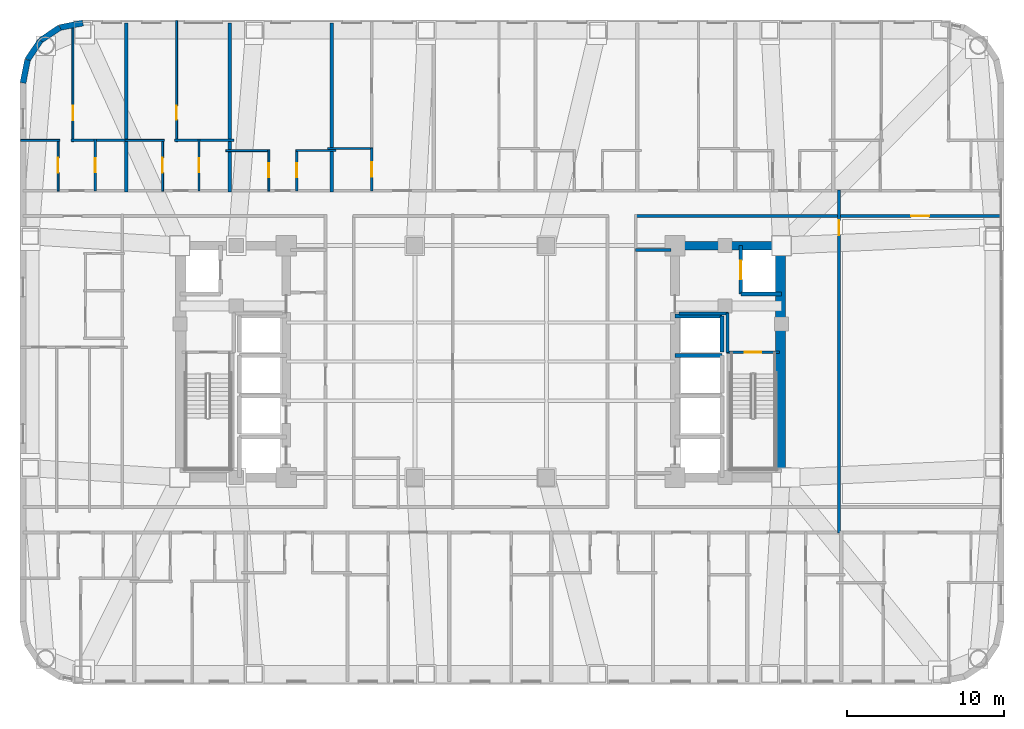
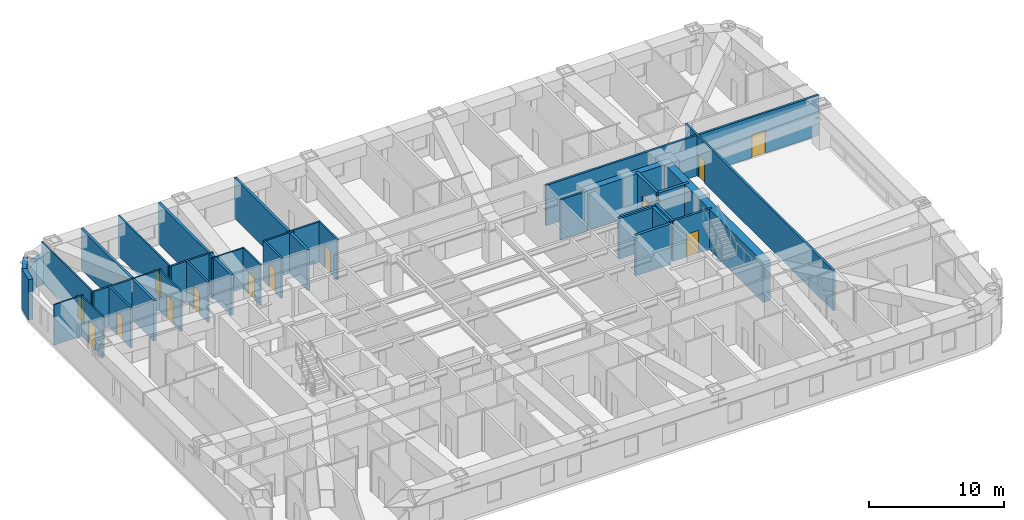
# One storey, part 12 of 16: 36 walls, 13 doors, 13 openings.
"""IFC4 building model written with IfcOpenShell, lengths in metres."""

from ifc_helpers import new_model, si_unit, direction, frame, frame_2d, origin, place, context, subcontext, project, spatial, rectangle, extrude, material, layer, layer_set, type_object, element, fill, save


model = new_model("IFC4")

# Units and contexts
model_context = context("Model", 3, precision=1e-05, world=origin(), true_north=direction((0.0, 1.0)))
body_context = subcontext(model_context, "Body", "Model", "MODEL_VIEW")
ifc_project = project(units=[si_unit("LENGTHUNIT", "METRE"), si_unit("AREAUNIT", "SQUARE_METRE"), si_unit("VOLUMEUNIT", "CUBIC_METRE"), si_unit("PLANEANGLEUNIT", "RADIAN"), si_unit("MASSUNIT", "GRAM", prefix="KILO")], contexts=[model_context])

# Site, building, storey
site_placement = place(None, origin())
site = spatial("IfcSite", under=ifc_project, at=site_placement, CompositionType="ELEMENT")
building_placement = place(site_placement, origin())
building = spatial("IfcBuilding", under=site, at=building_placement, Name="Voryun Gate Residences", CompositionType="ELEMENT")
storey_placement = place(building_placement, frame((0.0, 0.0, 89.699951171875)))
storey = spatial("IfcBuildingStorey", under=building, at=storey_placement, Name="L21", CompositionType="ELEMENT", Elevation=89.699951171875)

# Walls
ifc_material_1 = material(Name="Concrete C60/75", Category="concrete")
ifc_layer_1 = layer(ifc_material_1, 0.550048828125, Name="CW_CORE_550")
ifc_layer_set_1 = layer_set([ifc_layer_1], Name="Concrete C60/75")
wall_type_1 = type_object("IfcWallType", Name="CW_CORE_550", PredefinedType="SHEAR", material=ifc_layer_set_1)
wall_1_placement = place(storey_placement, frame((12.125, 7.39990234375, 0.0), z_axis=(0.0, 0.0, 1.0), x_axis=(1.0, 0.0, 0.0)))
element("IfcWall", 1, at=wall_1_placement, inside=storey, type_object=wall_type_1, Name="L21 Core shear wall CW-L21-EN", PredefinedType="SHEAR", context=body_context, shape_type="SweptSolid", body=[
    extrude(rectangle(XDim=7.35009765625, YDim=0.550048828125, at=frame_2d((3.675048828125, 0.0))), origin(), (0.0, 0.0, 1.0), 3.650146484375),
])
ifc_material_2 = material(Name="Concrete C60/75", Category="concrete")
ifc_layer_2 = layer(ifc_material_2, 0.64990234375, Name="CW_CORE_650")
ifc_layer_set_2 = layer_set([ifc_layer_2], Name="Concrete C60/75")
wall_type_2 = type_object("IfcWallType", Name="CW_CORE_650", PredefinedType="SHEAR", material=ifc_layer_set_2)
wall_2_placement = place(storey_placement, frame((19.14501953125, -7.39990234375, 0.0), z_axis=(0.0, 0.0, 1.0), x_axis=(0.0, 1.0, 0.0)))
element("IfcWall", 2, at=wall_2_placement, inside=storey, type_object=wall_type_2, Name="L21 Core shear wall CW-L21-EE", PredefinedType="SHEAR", context=body_context, shape_type="SweptSolid", body=[
    extrude(rectangle(XDim=14.7998046875, YDim=0.64990234375, at=frame_2d((7.39990234375, 0.0))), origin(), (0.0, 0.0, 1.0), 3.650146484375),
])

# Wall, opening, door
ifc_material_3 = material(Name="Gypsum acoustic fireboard")
ifc_layer_3 = layer(ifc_material_3, 0.179931640625, Name="W_CORR_RATED_180")
ifc_layer_set_3 = layer_set([ifc_layer_3], Name="Gypsum acoustic fireboard")
wall_type_3 = type_object("IfcWallType", Name="W_CORR_RATED_180", PredefinedType="PARTITIONING", material=ifc_layer_set_3)
wall_3_placement = place(storey_placement, frame((15.699951171875, 0.60009765625, 0.0), z_axis=(0.0, 0.0, 1.0), x_axis=(1.0, 0.0, 0.0)))
wall_3 = element("IfcWall", 3, at=wall_3_placement, inside=storey, type_object=wall_type_3, Name="Partition wall WP-L21-STV-E", PredefinedType="PARTITIONING", context=body_context, shape_type="SweptSolid", body=[
    extrude(rectangle(XDim=3.360107421875, YDim=0.179931640625, at=frame_2d((1.68017578125, 0.0))), origin(), (0.0, 0.0, 1.0), 3.650146484375),
])
opening_1_placement = place(wall_3_placement, frame((1.155029296875, 0.0, 0.0)))
opening_1 = element("IfcOpeningElement", 4, at=opening_1_placement, cuts=wall_3, Name="Opening D-FD60-1", PredefinedType="OPENING", context=body_context, shape_type="SweptSolid", body=[
    extrude(rectangle(XDim=1.050048828125, YDim=2.050048828125, at=frame_2d((0.52490234375, 1.02490234375))), frame((0.0, 0.099853515625, 0.0), z_axis=(0.0, -1.0, 0.0), x_axis=(1.0, 0.0, 0.0)), (0.0, 0.0, 1.0), 0.199951171875),
])
ifc_material_4 = material(Name="Painted steel fire door", Category="steel")
door_type_1 = type_object("IfcDoorType", Name="DR_FD60_STAIR_1050", OperationType="NOTDEFINED", PredefinedType="DOOR", material=ifc_material_4)
door_1_placement = place(opening_1_placement, origin())
door_1 = element("IfcDoor", 5, at=door_1_placement, inside=storey, type_object=door_type_1, Name="Door DR-L21-ST-E", OperationType="SINGLE_SWING_RIGHT", OverallHeight=2.050048828125, OverallWidth=1.050048828125, PredefinedType="DOOR", context=body_context, shape_type="SweptSolid", body=[
    extrude(rectangle(XDim=1.050048828125, YDim=2.050048828125, at=frame_2d((0.52490234375, 1.02490234375))), frame((0.0, 0.02490234375, 0.0), z_axis=(0.0, -1.0, 0.0), x_axis=(1.0, 0.0, 0.0)), (0.0, 0.0, 1.0), 0.050048828125),
])
fill(opening_1, door_1)

# Wall
wall_4_placement = place(storey_placement, frame((9.8798828125, 7.1201171875, 0.0), z_axis=(0.0, 0.0, 1.0), x_axis=(1.0, 0.0, 0.0)))
element("IfcWall", 6, at=wall_4_placement, inside=storey, type_object=wall_type_3, Name="Partition wall WP-L21-PLBN-E", PredefinedType="PARTITIONING", context=body_context, shape_type="SweptSolid", body=[
    extrude(rectangle(XDim=2.27001953125, YDim=0.179931640625, at=frame_2d((1.135009765625, 0.0))), origin(), (0.0, 0.0, 1.0), 3.650146484375),
])

# Wall, opening, door
wall_5_placement = place(storey_placement, frame((9.8798828125, 9.2900390625, 0.0), z_axis=(0.0, 0.0, 1.0), x_axis=(1.0, 0.0, 0.0)))
wall_5 = element("IfcWall", 7, at=wall_5_placement, inside=storey, type_object=wall_type_3, Name="Partition wall WP-L21-CWING-EN", PredefinedType="PARTITIONING", context=body_context, shape_type="SweptSolid", body=[
    extrude(rectangle(XDim=23.330078125, YDim=0.179931640625, at=frame_2d((11.6650390625, 0.0))), origin(), (0.0, 0.0, 1.0), 3.650146484375),
])
opening_2_placement = place(wall_5_placement, frame((17.589599609375, 0.0, 0.0)))
opening_2 = element("IfcOpeningElement", 8, at=opening_2_placement, cuts=wall_5, Name="Opening D-UNIT-1", PredefinedType="OPENING", context=body_context, shape_type="SweptSolid", body=[
    extrude(rectangle(XDim=1.14990234375, YDim=2.050048828125, at=frame_2d((0.574951171875, 1.02490234375))), frame((0.0, 0.099853515625, 0.0), z_axis=(0.0, -1.0, 0.0), x_axis=(1.0, 0.0, 0.0)), (0.0, 0.0, 1.0), 0.199951171875),
])
ifc_material_5 = material(Name="Armoured timber-clad fire door", Category="wood")
door_type_2 = type_object("IfcDoorType", Name="DR_UNIT_ENTRY_1150", OperationType="NOTDEFINED", PredefinedType="DOOR", material=ifc_material_5)
door_2_placement = place(opening_2_placement, origin())
door_2 = element("IfcDoor", 9, at=door_2_placement, inside=storey, type_object=door_type_2, Name="Door DR-L21-EE1N", OperationType="SINGLE_SWING_LEFT", OverallHeight=2.050048828125, OverallWidth=1.14990234375, PredefinedType="DOOR", context=body_context, shape_type="SweptSolid", body=[
    extrude(rectangle(XDim=1.14990234375, YDim=2.050048828125, at=frame_2d((0.574951171875, 1.02490234375))), frame((0.0, 0.02490234375, 0.0), z_axis=(0.0, -1.0, 0.0), x_axis=(1.0, 0.0, 0.0)), (0.0, 0.0, 1.0), 0.050048828125),
])
fill(opening_2, door_2)

wall_6_placement = place(storey_placement, frame((22.8701171875, -10.949951171875, 0.0), z_axis=(0.0, 0.0, 1.0), x_axis=(0.0, 1.0, 0.0)))
wall_6 = element("IfcWall", 10, at=wall_6_placement, inside=storey, type_object=wall_type_3, Name="Partition wall WP-L21-ESG", PredefinedType="PARTITIONING", context=body_context, shape_type="SweptSolid", body=[
    extrude(rectangle(XDim=21.89990234375, YDim=0.179931640625, at=frame_2d((10.949951171875, 0.0))), origin(), (0.0, 0.0, 1.0), 3.650146484375),
])
opening_3_placement = place(wall_6_placement, frame((19.014892578125, 0.0, 0.0)))
opening_3 = element("IfcOpeningElement", 11, at=opening_3_placement, cuts=wall_6, Name="Opening D-INT-1", PredefinedType="OPENING", context=body_context, shape_type="SweptSolid", body=[
    extrude(rectangle(XDim=0.949951171875, YDim=2.050048828125, at=frame_2d((0.47509765625, 1.02490234375))), frame((0.0, 0.099853515625, 0.0), z_axis=(0.0, -1.0, 0.0), x_axis=(1.0, 0.0, 0.0)), (0.0, 0.0, 1.0), 0.199951171875),
])
ifc_material_6 = material(Name="Architectural oak veneer")
door_type_3 = type_object("IfcDoorType", Name="DR_INT_ROOM_950", OperationType="NOTDEFINED", PredefinedType="DOOR", material=ifc_material_6)
door_3_placement = place(opening_3_placement, origin())
door_3 = element("IfcDoor", 12, at=door_3_placement, inside=storey, type_object=door_type_3, Name="Door DR-L21-ESG", OperationType="SINGLE_SWING_LEFT", OverallHeight=2.050048828125, OverallWidth=0.949951171875, PredefinedType="DOOR", context=body_context, shape_type="SweptSolid", body=[
    extrude(rectangle(XDim=0.949951171875, YDim=2.050048828125, at=frame_2d((0.47509765625, 1.02490234375))), frame((0.0, 0.02490234375, 0.0), z_axis=(0.0, -1.0, 0.0), x_axis=(1.0, 0.0, 0.0)), (0.0, 0.0, 1.0), 0.050048828125),
])
fill(opening_3, door_3)

# Walls
ifc_material_7 = material(Name="Granite masonry", Category="masonry")
ifc_layer_4 = layer(ifc_material_7, 0.3798828125, Name="W_EXT_GRANITE_380")
ifc_layer_set_4 = layer_set([ifc_layer_4], Name="Granite masonry")
wall_type_4 = type_object("IfcWallType", Name="W_EXT_GRANITE_380", PredefinedType="ELEMENTEDWALL", material=ifc_layer_set_4)
wall_7_placement = place(storey_placement, frame((-29.2099609375, 17.78125, 0.0), z_axis=(0.0, 0.0, 1.0), x_axis=(0.195086038585, 0.980786132421, 0.0)))
element("IfcWall", 13, at=wall_7_placement, inside=storey, type_object=wall_type_4, Name="Exterior wall WEXT-L21-07", PredefinedType="ELEMENTEDWALL", context=body_context, shape_type="SweptSolid", body=[
    extrude(rectangle(XDim=1.504150390625, YDim=0.3798828125, at=frame_2d((0.751953125, 0.0))), origin(), (0.0, 0.0, 1.0), 3.650146484375),
])
wall_8_placement = place(storey_placement, frame((-28.91650390625, 19.256591796875, 0.0), z_axis=(0.0, 0.0, 1.0), x_axis=(0.555610286119, 0.831442848281, 0.0)))
element("IfcWall", 14, at=wall_8_placement, inside=storey, type_object=wall_type_4, Name="Exterior wall WEXT-L21-08", PredefinedType="ELEMENTEDWALL", context=body_context, shape_type="SweptSolid", body=[
    extrude(rectangle(XDim=1.485107421875, YDim=0.3798828125, at=frame_2d((0.74267578125, 0.0))), origin(), (0.0, 0.0, 1.0), 3.650146484375),
])
wall_9_placement = place(storey_placement, frame((-28.09130859375, 20.491455078125, 0.0), z_axis=(0.0, 0.0, 1.0), x_axis=(0.831468045563, 0.555572577804, 0.0)))
element("IfcWall", 15, at=wall_9_placement, inside=storey, type_object=wall_type_4, Name="Exterior wall WEXT-L21-09", PredefinedType="ELEMENTEDWALL", context=body_context, shape_type="SweptSolid", body=[
    extrude(rectangle(XDim=1.48486328125, YDim=0.3798828125, at=frame_2d((0.742431640625, 0.0))), origin(), (0.0, 0.0, 1.0), 2.5400390625),
])
wall_10_placement = place(storey_placement, frame((-26.856689453125, 21.31640625, 0.0), z_axis=(0.0, 0.0, 1.0), x_axis=(0.980755066645, 0.195242155415, 0.0)))
element("IfcWall", 16, at=wall_10_placement, inside=storey, type_object=wall_type_4, Name="Exterior wall WEXT-L21-10", PredefinedType="ELEMENTEDWALL", context=body_context, shape_type="SweptSolid", body=[
    extrude(rectangle(XDim=1.50439453125, YDim=0.3798828125, at=frame_2d((0.752197265625, 0.0))), origin(), (0.0, 0.0, 1.0), 2.5400390625),
])
ifc_material_8 = material(Name="Concrete C40/50", Category="concrete")
ifc_layer_5 = layer(ifc_material_8, 0.199951171875, Name="W_FF_LOBBY_200")
ifc_layer_set_5 = layer_set([ifc_layer_5], Name="Concrete C40/50")
wall_type_5 = type_object("IfcWallType", Name="W_FF_LOBBY_200", PredefinedType="PARTITIONING", material=ifc_layer_set_5)
wall_11_placement = place(storey_placement, frame((15.760009765625, 0.580078125, 0.0), z_axis=(0.0, 0.0, 1.0), x_axis=(0.0, 1.0, 0.0)))
element("IfcWall", 17, at=wall_11_placement, inside=storey, type_object=wall_type_5, Name="Partition wall WP-L21-FFP0-E", PredefinedType="PARTITIONING", context=body_context, shape_type="SweptSolid", body=[
    extrude(rectangle(XDim=2.52001953125, YDim=0.199951171875, at=frame_2d((1.260009765625, 0.0))), origin(), (0.0, 0.0, 1.0), 3.650146484375),
])
wall_12_placement = place(storey_placement, frame((12.659912109375, 3.06005859375, 0.0), z_axis=(0.0, 0.0, 1.0), x_axis=(1.0, 0.0, 0.0)))
element("IfcWall", 18, at=wall_12_placement, inside=storey, type_object=wall_type_5, Name="Partition wall WP-L21-FFPS-E", PredefinedType="PARTITIONING", context=body_context, shape_type="SweptSolid", body=[
    extrude(rectangle(XDim=3.16015625, YDim=0.199951171875, at=frame_2d((1.580078125, 0.0))), origin(), (0.0, 0.0, 1.0), 3.650146484375),
])
ifc_material_9 = material(Name="Concrete C40/50", Category="concrete")
ifc_layer_6 = layer(ifc_material_9, 0.219970703125, Name="W_PARTY_ACOUSTIC_220")
ifc_layer_set_6 = layer_set([ifc_layer_6], Name="Concrete C40/50")
wall_type_6 = type_object("IfcWallType", Name="W_PARTY_ACOUSTIC_220", PredefinedType="PARTITIONING", material=ifc_layer_set_6)
for number, where, z_axis, x_axis, name in (
    (19, (-22.60888671875, 10.820068359375, 0.0), (0.0, 0.0, 1.0), (0.0, 1.0, 0.0), "Partition wall WP-L21-NPTY-1"),
    (20, (-16.0, 10.820068359375, 0.0), (0.0, 0.0, 1.0), (0.0, 1.0, 0.0), "Partition wall WP-L21-NPTY-2"),
    (21, (-9.5, 10.820068359375, 0.0), (0.0, 0.0, 1.0), (0.0, 1.0, 0.0), "Partition wall WP-L21-NPTY-3"),
):
    element("IfcWall", number, at=place(storey_placement, frame(where, z_axis=z_axis, x_axis=x_axis)), inside=storey, type_object=wall_type_6, Name=name, PredefinedType="PARTITIONING", context=body_context, shape_type="SweptSolid", body=[
        extrude(rectangle(XDim=10.7900390625, YDim=0.219970703125, at=frame_2d((5.39501953125, 0.0))), origin(), (0.0, 0.0, 1.0), 3.650146484375),
    ])
ifc_material_10 = material(Name="Concrete C50/60", Category="concrete")
ifc_layer_7 = layer(ifc_material_10, 0.25, Name="W_SHAFT_RC250")
ifc_layer_set_7 = layer_set([ifc_layer_7], Name="Concrete C50/60")
wall_type_7 = type_object("IfcWallType", Name="W_SHAFT_RC250", PredefinedType="SOLIDWALL", material=ifc_layer_set_7)
wall_13_placement = place(storey_placement, frame((16.60009765625, 4.300048828125, 0.0), z_axis=(0.0, 0.0, 1.0), x_axis=(1.0, 0.0, 0.0)))
element("IfcWall", 22, at=wall_13_placement, inside=storey, type_object=wall_type_7, Name="Lift shaft wall WSH-L21-EL-FF-E1-S", PredefinedType="SOLIDWALL", context=body_context, shape_type="SweptSolid", body=[
    extrude(rectangle(XDim=2.599853515625, YDim=0.25, at=frame_2d((1.2998046875, 0.0))), origin(), (0.0, 0.0, 1.0), 3.650146484375),
])

# Wall, opening, door
wall_14_placement = place(storey_placement, frame((16.60009765625, 7.39990234375, 0.0), z_axis=(0.0, 0.0, 1.0), x_axis=(0.0, -1.0, 0.0)))
wall_14 = element("IfcWall", 23, at=wall_14_placement, inside=storey, type_object=wall_type_7, Name="Lift shaft wall WSH-L21-EL-FF-E1-W", PredefinedType="SOLIDWALL", context=body_context, shape_type="SweptSolid", body=[
    extrude(rectangle(XDim=3.099853515625, YDim=0.25, at=frame_2d((1.5498046875, 0.0))), origin(), (0.0, 0.0, 1.0), 3.650146484375),
])
opening_4_placement = place(wall_14_placement, frame((0.949951171875, 0.0, 0.0)))
opening_4 = element("IfcOpeningElement", 24, at=opening_4_placement, cuts=wall_14, Name="Opening LD1", PredefinedType="OPENING", context=body_context, shape_type="SweptSolid", body=[
    extrude(rectangle(XDim=1.199951171875, YDim=2.050048828125, at=frame_2d((0.60009765625, 1.02490234375))), frame((0.0, 0.135009765625, 0.0), z_axis=(0.0, -1.0, 0.0), x_axis=(1.0, 0.0, 0.0)), (0.0, 0.0, 1.0), 0.27001953125),
])
ifc_material_11 = material(Name="Anodised aluminium", Category="aluminium")
door_type_4 = type_object("IfcDoorType", Name="DR_LD_FF_1200", OperationType="NOTDEFINED", PredefinedType="DOOR", material=ifc_material_11)
door_4_placement = place(opening_4_placement, origin())
door_4 = element("IfcDoor", 25, at=door_4_placement, inside=storey, type_object=door_type_4, Name="Lift EL-FF-E1 sliding landing door L21", OperationType="SLIDING_TO_LEFT", OverallHeight=2.050048828125, OverallWidth=1.199951171875, PredefinedType="DOOR", context=body_context, shape_type="SweptSolid", body=[
    extrude(rectangle(XDim=1.199951171875, YDim=2.050048828125, at=frame_2d((0.60009765625, 1.02490234375))), frame((0.0, 0.02490234375, 0.0), z_axis=(0.0, -1.0, 0.0), x_axis=(1.0, 0.0, 0.0)), (0.0, 0.0, 1.0), 0.050048828125),
])
fill(opening_4, door_4)

# Walls
wall_15_placement = place(storey_placement, frame((15.39990234375, 0.39990234375, 0.0), z_axis=(0.0, 0.0, 1.0), x_axis=(-1.0, 0.0, 0.0)))
element("IfcWall", 26, at=wall_15_placement, inside=storey, type_object=wall_type_7, Name="Lift shaft wall WSH-L21-EL-P6-N", PredefinedType="SOLIDWALL", context=body_context, shape_type="SweptSolid", body=[
    extrude(rectangle(XDim=3.0, YDim=0.25, at=frame_2d((1.5, 0.0))), origin(), (0.0, 0.0, 1.0), 3.650146484375),
])
wall_16_placement = place(storey_placement, frame((15.39990234375, 0.60009765625, 0.0), z_axis=(0.0, 0.0, 1.0), x_axis=(0.0, 1.0, 0.0)))
element("IfcWall", 27, at=wall_16_placement, inside=storey, type_object=wall_type_7, Name="Lift shaft wall WSH-L21-EL-P8-E", PredefinedType="SOLIDWALL", context=body_context, shape_type="SweptSolid", body=[
    extrude(rectangle(XDim=2.2998046875, YDim=0.25, at=frame_2d((1.14990234375, 0.0))), origin(), (0.0, 0.0, 1.0), 3.650146484375),
])
wall_17_placement = place(storey_placement, frame((15.39990234375, 2.89990234375, 0.0), z_axis=(0.0, 0.0, 1.0), x_axis=(-1.0, 0.0, 0.0)))
element("IfcWall", 28, at=wall_17_placement, inside=storey, type_object=wall_type_7, Name="Lift shaft wall WSH-L21-EL-P8-N", PredefinedType="SOLIDWALL", context=body_context, shape_type="SweptSolid", body=[
    extrude(rectangle(XDim=3.0, YDim=0.25, at=frame_2d((1.5, 0.0))), origin(), (0.0, 0.0, 1.0), 3.650146484375),
])

# Wall, opening, door
ifc_material_12 = material(Name="Gypsum acoustic partition")
ifc_layer_8 = layer(ifc_material_12, 0.125, Name="W_UNIT_PART_125")
ifc_layer_set_8 = layer_set([ifc_layer_8], Name="Gypsum acoustic partition")
wall_type_8 = type_object("IfcWallType", Name="W_UNIT_PART_125", PredefinedType="PARTITIONING", material=ifc_layer_set_8)
wall_18_placement = place(storey_placement, frame((-26.01904296875, 14.0400390625, 0.0), z_axis=(0.0, 0.0, 1.0), x_axis=(0.0, 1.0, 0.0)))
wall_18 = element("IfcWall", 29, at=wall_18_placement, inside=storey, type_object=wall_type_8, Name="Partition wall WP-L21-N1-OVR", PredefinedType="PARTITIONING", context=body_context, shape_type="SweptSolid", body=[
    extrude(rectangle(XDim=7.595947265625, YDim=0.125, at=frame_2d((3.7978515625, 0.0))), origin(), (0.0, 0.0, 1.0), 3.650146484375),
])
opening_5_placement = place(wall_18_placement, frame((1.373046875, 0.0, 0.0)))
opening_5 = element("IfcOpeningElement", 30, at=opening_5_placement, cuts=wall_18, Name="Opening D-INT-2", PredefinedType="OPENING", context=body_context, shape_type="SweptSolid", body=[
    extrude(rectangle(XDim=0.89990234375, YDim=2.050048828125, at=frame_2d((0.449951171875, 1.02490234375))), frame((0.0, 0.072509765625, 0.0), z_axis=(0.0, -1.0, 0.0), x_axis=(1.0, 0.0, 0.0)), (0.0, 0.0, 1.0), 0.14501953125),
])
ifc_material_13 = material(Name="Architectural oak veneer")
door_type_5 = type_object("IfcDoorType", Name="DR_INT_BATH_900", OperationType="NOTDEFINED", PredefinedType="DOOR", material=ifc_material_13)
door_5_placement = place(opening_5_placement, origin())
door_5 = element("IfcDoor", 31, at=door_5_placement, inside=storey, type_object=door_type_5, Name="Door DR-L21-N1-DMB", OperationType="SINGLE_SWING_RIGHT", OverallHeight=2.050048828125, OverallWidth=0.89990234375, PredefinedType="DOOR", context=body_context, shape_type="SweptSolid", body=[
    extrude(rectangle(XDim=0.89990234375, YDim=2.050048828125, at=frame_2d((0.449951171875, 1.02490234375))), frame((0.0, 0.02490234375, 0.0), z_axis=(0.0, -1.0, 0.0), x_axis=(1.0, 0.0, 0.0)), (0.0, 0.0, 1.0), 0.050048828125),
])
fill(opening_5, door_5)

wall_19_placement = place(storey_placement, frame((-26.968017578125, 10.8798828125, 0.0), z_axis=(0.0, 0.0, 1.0), x_axis=(0.0, 1.0, 0.0)))
wall_19 = element("IfcWall", 32, at=wall_19_placement, inside=storey, type_object=wall_type_8, Name="Partition wall WP-L21-N1-IVK", PredefinedType="PARTITIONING", context=body_context, shape_type="SweptSolid", body=[
    extrude(rectangle(XDim=3.320068359375, YDim=0.125, at=frame_2d((1.66015625, 0.0))), origin(), (0.0, 0.0, 1.0), 3.650146484375),
])
opening_6_placement = place(wall_19_placement, frame((1.18505859375, 0.0, 0.0)))
opening_6 = element("IfcOpeningElement", 33, at=opening_6_placement, cuts=wall_19, Name="Opening D-INT-1", PredefinedType="OPENING", context=body_context, shape_type="SweptSolid", body=[
    extrude(rectangle(XDim=0.949951171875, YDim=2.050048828125, at=frame_2d((0.47509765625, 1.02490234375))), frame((0.0, 0.072509765625, 0.0), z_axis=(0.0, -1.0, 0.0), x_axis=(1.0, 0.0, 0.0)), (0.0, 0.0, 1.0), 0.14501953125),
])
door_6_placement = place(opening_6_placement, origin())
door_6 = element("IfcDoor", 34, at=door_6_placement, inside=storey, type_object=door_type_3, Name="Door DR-L21-N1-DK", OperationType="SINGLE_SWING_LEFT", OverallHeight=2.050048828125, OverallWidth=0.949951171875, PredefinedType="DOOR", context=body_context, shape_type="SweptSolid", body=[
    extrude(rectangle(XDim=0.949951171875, YDim=2.050048828125, at=frame_2d((0.47509765625, 1.02490234375))), frame((0.0, 0.02490234375, 0.0), z_axis=(0.0, -1.0, 0.0), x_axis=(1.0, 0.0, 0.0)), (0.0, 0.0, 1.0), 0.050048828125),
])
fill(opening_6, door_6)

# Wall
wall_20_placement = place(storey_placement, frame((-29.360107421875, 14.1201171875, 0.0), z_axis=(0.0, 0.0, 1.0), x_axis=(1.0, 0.0, 0.0)))
element("IfcWall", 35, at=wall_20_placement, inside=storey, type_object=wall_type_8, Name="Partition wall WP-L21-N1-HZK", PredefinedType="PARTITIONING", context=body_context, shape_type="SweptSolid", body=[
    extrude(rectangle(XDim=2.51220703125, YDim=0.125, at=frame_2d((1.256103515625, 0.0))), origin(), (0.0, 0.0, 1.0), 3.650146484375),
])

# Wall, opening, door
wall_21_placement = place(storey_placement, frame((-19.409912109375, 14.0400390625, 0.0), z_axis=(0.0, 0.0, 1.0), x_axis=(0.0, 1.0, 0.0)))
wall_21 = element("IfcWall", 36, at=wall_21_placement, inside=storey, type_object=wall_type_8, Name="Partition wall WP-L21-N2-OVR", PredefinedType="PARTITIONING", context=body_context, shape_type="SweptSolid", body=[
    extrude(rectangle(XDim=7.719970703125, YDim=0.125, at=frame_2d((3.85986328125, 0.0))), origin(), (0.0, 0.0, 1.0), 3.650146484375),
])
opening_7_placement = place(wall_21_placement, frame((1.40283203125, 0.0, 0.0)))
opening_7 = element("IfcOpeningElement", 37, at=opening_7_placement, cuts=wall_21, Name="Opening D-INT-2", PredefinedType="OPENING", context=body_context, shape_type="SweptSolid", body=[
    extrude(rectangle(XDim=0.89990234375, YDim=2.050048828125, at=frame_2d((0.449951171875, 1.02490234375))), frame((0.0, 0.072509765625, 0.0), z_axis=(0.0, -1.0, 0.0), x_axis=(1.0, 0.0, 0.0)), (0.0, 0.0, 1.0), 0.14501953125),
])
door_7_placement = place(opening_7_placement, origin())
door_7 = element("IfcDoor", 38, at=door_7_placement, inside=storey, type_object=door_type_5, Name="Door DR-L21-N2-DMB", OperationType="SINGLE_SWING_RIGHT", OverallHeight=2.050048828125, OverallWidth=0.89990234375, PredefinedType="DOOR", context=body_context, shape_type="SweptSolid", body=[
    extrude(rectangle(XDim=0.89990234375, YDim=2.050048828125, at=frame_2d((0.449951171875, 1.02490234375))), frame((0.0, 0.02490234375, 0.0), z_axis=(0.0, -1.0, 0.0), x_axis=(1.0, 0.0, 0.0)), (0.0, 0.0, 1.0), 0.050048828125),
])
fill(opening_7, door_7)

wall_22_placement = place(storey_placement, frame((-20.299072265625, 10.8798828125, 0.0), z_axis=(0.0, 0.0, 1.0), x_axis=(0.0, 1.0, 0.0)))
wall_22 = element("IfcWall", 39, at=wall_22_placement, inside=storey, type_object=wall_type_8, Name="Partition wall WP-L21-N2-IVK", PredefinedType="PARTITIONING", context=body_context, shape_type="SweptSolid", body=[
    extrude(rectangle(XDim=3.320068359375, YDim=0.125, at=frame_2d((1.66015625, 0.0))), origin(), (0.0, 0.0, 1.0), 3.650146484375),
])
opening_8_placement = place(wall_22_placement, frame((1.18505859375, 0.0, 0.0)))
opening_8 = element("IfcOpeningElement", 40, at=opening_8_placement, cuts=wall_22, Name="Opening D-INT-1", PredefinedType="OPENING", context=body_context, shape_type="SweptSolid", body=[
    extrude(rectangle(XDim=0.949951171875, YDim=2.050048828125, at=frame_2d((0.47509765625, 1.02490234375))), frame((0.0, 0.072509765625, 0.0), z_axis=(0.0, -1.0, 0.0), x_axis=(1.0, 0.0, 0.0)), (0.0, 0.0, 1.0), 0.14501953125),
])
door_8_placement = place(opening_8_placement, origin())
door_8 = element("IfcDoor", 41, at=door_8_placement, inside=storey, type_object=door_type_3, Name="Door DR-L21-N2-DK", OperationType="SINGLE_SWING_LEFT", OverallHeight=2.050048828125, OverallWidth=0.949951171875, PredefinedType="DOOR", context=body_context, shape_type="SweptSolid", body=[
    extrude(rectangle(XDim=0.949951171875, YDim=2.050048828125, at=frame_2d((0.47509765625, 1.02490234375))), frame((0.0, 0.02490234375, 0.0), z_axis=(0.0, -1.0, 0.0), x_axis=(1.0, 0.0, 0.0)), (0.0, 0.0, 1.0), 0.050048828125),
])
fill(opening_8, door_8)

# Wall
wall_23_placement = place(storey_placement, frame((-22.68408203125, 14.1201171875, 0.0), z_axis=(0.0, 0.0, 1.0), x_axis=(1.0, 0.0, 0.0)))
element("IfcWall", 42, at=wall_23_placement, inside=storey, type_object=wall_type_8, Name="Partition wall WP-L21-N2-HZK", PredefinedType="PARTITIONING", context=body_context, shape_type="SweptSolid", body=[
    extrude(rectangle(XDim=2.505126953125, YDim=0.125, at=frame_2d((1.25244140625, 0.0))), origin(), (0.0, 0.0, 1.0), 3.650146484375),
])

# Wall, opening, door
wall_24_placement = place(storey_placement, frame((-13.51611328125, 10.8798828125, 0.0), z_axis=(0.0, 0.0, 1.0), x_axis=(0.0, 1.0, 0.0)))
wall_24 = element("IfcWall", 43, at=wall_24_placement, inside=storey, type_object=wall_type_8, Name="Partition wall WP-L21-N3-CVK", PredefinedType="PARTITIONING", context=body_context, shape_type="SweptSolid", body=[
    extrude(rectangle(XDim=2.650146484375, YDim=0.125, at=frame_2d((1.3251953125, 0.0))), origin(), (0.0, 0.0, 1.0), 3.650146484375),
])
opening_9_placement = place(wall_24_placement, frame((0.875, 0.0, 0.0)))
opening_9 = element("IfcOpeningElement", 44, at=opening_9_placement, cuts=wall_24, Name="Opening D-INT-2", PredefinedType="OPENING", context=body_context, shape_type="SweptSolid", body=[
    extrude(rectangle(XDim=0.89990234375, YDim=2.050048828125, at=frame_2d((0.449951171875, 1.02490234375))), frame((0.0, 0.072509765625, 0.0), z_axis=(0.0, -1.0, 0.0), x_axis=(1.0, 0.0, 0.0)), (0.0, 0.0, 1.0), 0.14501953125),
])
door_9_placement = place(opening_9_placement, origin())
door_9 = element("IfcDoor", 45, at=door_9_placement, inside=storey, type_object=door_type_5, Name="Door DR-L21-N3-DK", OperationType="SINGLE_SWING_LEFT", OverallHeight=2.050048828125, OverallWidth=0.89990234375, PredefinedType="DOOR", context=body_context, shape_type="SweptSolid", body=[
    extrude(rectangle(XDim=0.89990234375, YDim=2.050048828125, at=frame_2d((0.449951171875, 1.02490234375))), frame((0.0, 0.02490234375, 0.0), z_axis=(0.0, -1.0, 0.0), x_axis=(1.0, 0.0, 0.0)), (0.0, 0.0, 1.0), 0.050048828125),
])
fill(opening_9, door_9)

# Walls
wall_25_placement = place(storey_placement, frame((-16.260009765625, 13.469970703125, 0.0), z_axis=(0.0, 0.0, 1.0), x_axis=(1.0, 0.0, 0.0)))
element("IfcWall", 46, at=wall_25_placement, inside=storey, type_object=wall_type_8, Name="Partition wall WP-L21-N3-CHK", PredefinedType="PARTITIONING", context=body_context, shape_type="SweptSolid", body=[
    extrude(rectangle(XDim=2.803955078125, YDim=0.125, at=frame_2d((1.40185546875, 0.0))), origin(), (0.0, 0.0, 1.0), 3.650146484375),
])
ifc_material_14 = material(Name="Gypsum moisture-resistant partition")
ifc_layer_9 = layer(ifc_material_14, 0.14990234375, Name="W_WET_PLUMB_150")
ifc_layer_set_9 = layer_set([ifc_layer_9], Name="Gypsum moisture-resistant partition")
wall_type_9 = type_object("IfcWallType", Name="W_WET_PLUMB_150", PredefinedType="PLUMBINGWALL", material=ifc_layer_set_9)
wall_26_placement = place(storey_placement, frame((-26.138916015625, 14.1201171875, 0.0), z_axis=(0.0, 0.0, 1.0), x_axis=(1.0, 0.0, 0.0)))
element("IfcWall", 47, at=wall_26_placement, inside=storey, type_object=wall_type_9, Name="Partition wall WP-L21-N1-HZB", PredefinedType="PLUMBINGWALL", context=body_context, shape_type="SweptSolid", body=[
    extrude(rectangle(XDim=3.60498046875, YDim=0.14990234375, at=frame_2d((1.802490234375, 0.0))), origin(), (0.0, 0.0, 1.0), 3.650146484375),
])

# Wall, opening, door
wall_27_placement = place(storey_placement, frame((-24.589111328125, 10.8798828125, 0.0), z_axis=(0.0, 0.0, 1.0), x_axis=(0.0, 1.0, 0.0)))
wall_27 = element("IfcWall", 48, at=wall_27_placement, inside=storey, type_object=wall_type_9, Name="Partition wall WP-L21-N1-IVB", PredefinedType="PLUMBINGWALL", context=body_context, shape_type="SweptSolid", body=[
    extrude(rectangle(XDim=3.320068359375, YDim=0.14990234375, at=frame_2d((1.66015625, 0.0))), origin(), (0.0, 0.0, 1.0), 3.650146484375),
])
opening_10_placement = place(wall_27_placement, frame((1.2099609375, 0.0, 0.0)))
opening_10 = element("IfcOpeningElement", 49, at=opening_10_placement, cuts=wall_27, Name="Opening D-INT-2", PredefinedType="OPENING", context=body_context, shape_type="SweptSolid", body=[
    extrude(rectangle(XDim=0.89990234375, YDim=2.050048828125, at=frame_2d((0.449951171875, 1.02490234375))), frame((0.0, 0.0849609375, 0.0), z_axis=(0.0, -1.0, 0.0), x_axis=(1.0, 0.0, 0.0)), (0.0, 0.0, 1.0), 0.169921875),
])
door_10_placement = place(opening_10_placement, origin())
door_10 = element("IfcDoor", 50, at=door_10_placement, inside=storey, type_object=door_type_5, Name="Door DR-L21-N1-DB", OperationType="SINGLE_SWING_RIGHT", OverallHeight=2.050048828125, OverallWidth=0.89990234375, PredefinedType="DOOR", context=body_context, shape_type="SweptSolid", body=[
    extrude(rectangle(XDim=0.89990234375, YDim=2.050048828125, at=frame_2d((0.449951171875, 1.02490234375))), frame((0.0, 0.02490234375, 0.0), z_axis=(0.0, -1.0, 0.0), x_axis=(1.0, 0.0, 0.0)), (0.0, 0.0, 1.0), 0.050048828125),
])
fill(opening_10, door_10)

# Wall
wall_28_placement = place(storey_placement, frame((-19.530029296875, 14.1201171875, 0.0), z_axis=(0.0, 0.0, 1.0), x_axis=(1.0, 0.0, 0.0)))
element("IfcWall", 51, at=wall_28_placement, inside=storey, type_object=wall_type_9, Name="Partition wall WP-L21-N2-HZB", PredefinedType="PLUMBINGWALL", context=body_context, shape_type="SweptSolid", body=[
    extrude(rectangle(XDim=3.7900390625, YDim=0.14990234375, at=frame_2d((1.89501953125, 0.0))), origin(), (0.0, 0.0, 1.0), 3.650146484375),
])

# Wall, opening, door
wall_29_placement = place(storey_placement, frame((-17.97998046875, 10.8798828125, 0.0), z_axis=(0.0, 0.0, 1.0), x_axis=(0.0, 1.0, 0.0)))
wall_29 = element("IfcWall", 52, at=wall_29_placement, inside=storey, type_object=wall_type_9, Name="Partition wall WP-L21-N2-IVB", PredefinedType="PLUMBINGWALL", context=body_context, shape_type="SweptSolid", body=[
    extrude(rectangle(XDim=3.320068359375, YDim=0.14990234375, at=frame_2d((1.66015625, 0.0))), origin(), (0.0, 0.0, 1.0), 3.650146484375),
])
opening_11_placement = place(wall_29_placement, frame((1.2099609375, 0.0, 0.0)))
opening_11 = element("IfcOpeningElement", 53, at=opening_11_placement, cuts=wall_29, Name="Opening D-INT-2", PredefinedType="OPENING", context=body_context, shape_type="SweptSolid", body=[
    extrude(rectangle(XDim=0.89990234375, YDim=2.050048828125, at=frame_2d((0.449951171875, 1.02490234375))), frame((0.0, 0.0849609375, 0.0), z_axis=(0.0, -1.0, 0.0), x_axis=(1.0, 0.0, 0.0)), (0.0, 0.0, 1.0), 0.169921875),
])
door_11_placement = place(opening_11_placement, origin())
door_11 = element("IfcDoor", 54, at=door_11_placement, inside=storey, type_object=door_type_5, Name="Door DR-L21-N2-DB", OperationType="SINGLE_SWING_RIGHT", OverallHeight=2.050048828125, OverallWidth=0.89990234375, PredefinedType="DOOR", context=body_context, shape_type="SweptSolid", body=[
    extrude(rectangle(XDim=0.89990234375, YDim=2.050048828125, at=frame_2d((0.449951171875, 1.02490234375))), frame((0.0, 0.02490234375, 0.0), z_axis=(0.0, -1.0, 0.0), x_axis=(1.0, 0.0, 0.0)), (0.0, 0.0, 1.0), 0.050048828125),
])
fill(opening_11, door_11)

wall_30_placement = place(storey_placement, frame((-11.72900390625, 10.8798828125, 0.0), z_axis=(0.0, 0.0, 1.0), x_axis=(0.0, 1.0, 0.0)))
wall_30 = element("IfcWall", 55, at=wall_30_placement, inside=storey, type_object=wall_type_9, Name="Partition wall WP-L21-N3-CVB", PredefinedType="PLUMBINGWALL", context=body_context, shape_type="SweptSolid", body=[
    extrude(rectangle(XDim=2.650146484375, YDim=0.14990234375, at=frame_2d((1.3251953125, 0.0))), origin(), (0.0, 0.0, 1.0), 3.650146484375),
])
opening_12_placement = place(wall_30_placement, frame((0.875, 0.0, 0.0)))
opening_12 = element("IfcOpeningElement", 56, at=opening_12_placement, cuts=wall_30, Name="Opening D-INT-2", PredefinedType="OPENING", context=body_context, shape_type="SweptSolid", body=[
    extrude(rectangle(XDim=0.89990234375, YDim=2.050048828125, at=frame_2d((0.449951171875, 1.02490234375))), frame((0.0, 0.0849609375, 0.0), z_axis=(0.0, -1.0, 0.0), x_axis=(1.0, 0.0, 0.0)), (0.0, 0.0, 1.0), 0.169921875),
])
door_12_placement = place(opening_12_placement, origin())
door_12 = element("IfcDoor", 57, at=door_12_placement, inside=storey, type_object=door_type_5, Name="Door DR-L21-N3-DB", OperationType="SINGLE_SWING_RIGHT", OverallHeight=2.050048828125, OverallWidth=0.89990234375, PredefinedType="DOOR", context=body_context, shape_type="SweptSolid", body=[
    extrude(rectangle(XDim=0.89990234375, YDim=2.050048828125, at=frame_2d((0.449951171875, 1.02490234375))), frame((0.0, 0.02490234375, 0.0), z_axis=(0.0, -1.0, 0.0), x_axis=(1.0, 0.0, 0.0)), (0.0, 0.0, 1.0), 0.050048828125),
])
fill(opening_12, door_12)

# Walls
wall_31_placement = place(storey_placement, frame((-11.7890625, 13.469970703125, 0.0), z_axis=(0.0, 0.0, 1.0), x_axis=(1.0, 0.0, 0.0)))
element("IfcWall", 58, at=wall_31_placement, inside=storey, type_object=wall_type_9, Name="Partition wall WP-L21-N3-CHB", PredefinedType="PLUMBINGWALL", context=body_context, shape_type="SweptSolid", body=[
    extrude(rectangle(XDim=2.549072265625, YDim=0.14990234375, at=frame_2d((1.2744140625, 0.0))), origin(), (0.0, 0.0, 1.0), 3.650146484375),
])
wall_32_placement = place(storey_placement, frame((-9.760009765625, 13.60009765625, 0.0), z_axis=(0.0, 0.0, 1.0), x_axis=(1.0, 0.0, 0.0)))
element("IfcWall", 59, at=wall_32_placement, inside=storey, type_object=wall_type_9, Name="Partition wall WP-L21-N4-SKB", PredefinedType="PLUMBINGWALL", context=body_context, shape_type="SweptSolid", body=[
    extrude(rectangle(XDim=2.887939453125, YDim=0.14990234375, at=frame_2d((1.44384765625, 0.0))), origin(), (0.0, 0.0, 1.0), 3.650146484375),
])

# Wall, opening, door
wall_33_placement = place(storey_placement, frame((-6.951904296875, 10.8798828125, 0.0), z_axis=(0.0, 0.0, 1.0), x_axis=(0.0, 1.0, 0.0)))
wall_33 = element("IfcWall", 60, at=wall_33_placement, inside=storey, type_object=wall_type_9, Name="Partition wall WP-L21-N4-SVT1", PredefinedType="PLUMBINGWALL", context=body_context, shape_type="SweptSolid", body=[
    extrude(rectangle(XDim=2.760009765625, YDim=0.14990234375, at=frame_2d((1.3798828125, 0.0))), origin(), (0.0, 0.0, 1.0), 3.650146484375),
])
opening_13_placement = place(wall_33_placement, frame((0.929931640625, 0.0, 0.0)))
opening_13 = element("IfcOpeningElement", 61, at=opening_13_placement, cuts=wall_33, Name="Opening D-INT-2", PredefinedType="OPENING", context=body_context, shape_type="SweptSolid", body=[
    extrude(rectangle(XDim=0.89990234375, YDim=2.050048828125, at=frame_2d((0.449951171875, 1.02490234375))), frame((0.0, 0.0849609375, 0.0), z_axis=(0.0, -1.0, 0.0), x_axis=(1.0, 0.0, 0.0)), (0.0, 0.0, 1.0), 0.169921875),
])
door_13_placement = place(opening_13_placement, origin())
door_13 = element("IfcDoor", 62, at=door_13_placement, inside=storey, type_object=door_type_5, Name="Door DR-L21-N4-DB", OperationType="SINGLE_SWING_LEFT", OverallHeight=2.050048828125, OverallWidth=0.89990234375, PredefinedType="DOOR", context=body_context, shape_type="SweptSolid", body=[
    extrude(rectangle(XDim=0.89990234375, YDim=2.050048828125, at=frame_2d((0.449951171875, 1.02490234375))), frame((0.0, 0.02490234375, 0.0), z_axis=(0.0, -1.0, 0.0), x_axis=(1.0, 0.0, 0.0)), (0.0, 0.0, 1.0), 0.050048828125),
])
fill(opening_13, door_13)

save(model, "model.ifc")
